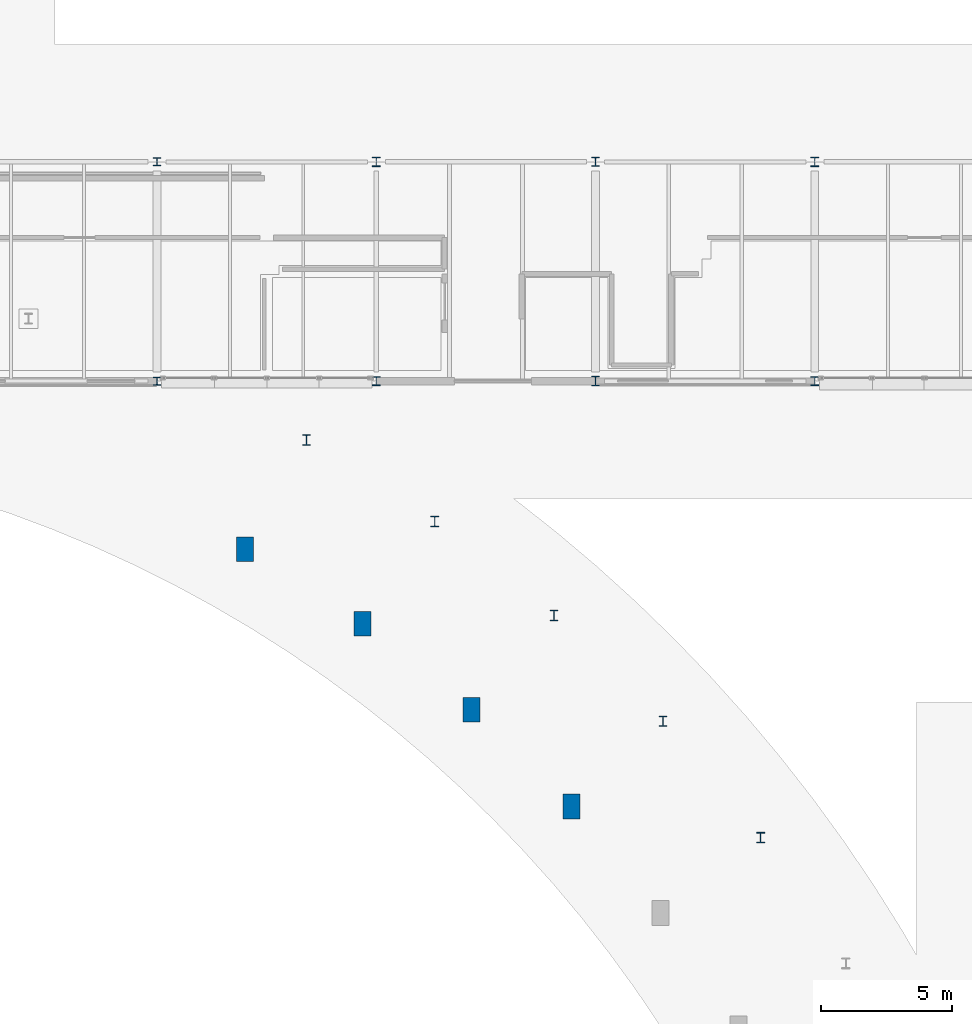
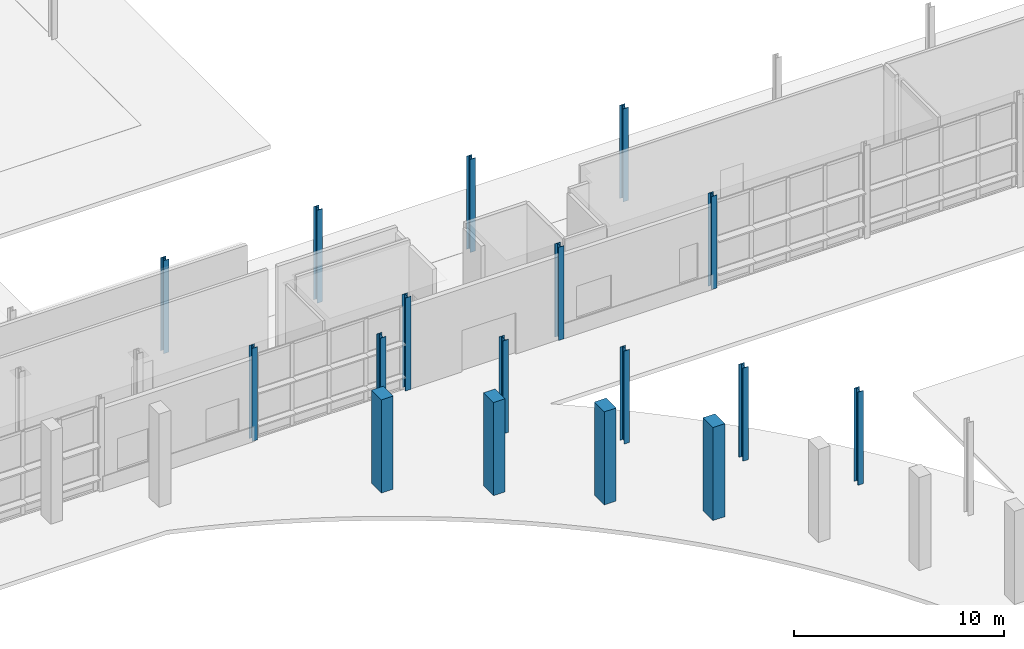
# One storey, part 3 of 124: 17 columns.
"""IFC4 building model written with IfcOpenShell, lengths in metres."""

from ifc_helpers import new_model, si_unit, direction, frame, origin, origin_2d, place, context, subcontext, project, spatial, rectangle, i_section, extrude, material, material_profile, profile_set, type_object, element, save


model = new_model("IFC4")

# Units and contexts
model_context = context("Model", 3, precision=1e-05, world=origin(), true_north=direction((0.0, 1.0)))
body_context = subcontext(model_context, "Body", "Model", "MODEL_VIEW")
ifc_project = project(units=[si_unit("LENGTHUNIT", "METRE"), si_unit("AREAUNIT", "SQUARE_METRE"), si_unit("VOLUMEUNIT", "CUBIC_METRE"), si_unit("PLANEANGLEUNIT", "RADIAN"), si_unit("MASSUNIT", "GRAM", prefix="KILO")], contexts=[model_context])

# Site, building, storey
site_placement = place(None, origin())
site = spatial("IfcSite", under=ifc_project, at=site_placement, CompositionType="ELEMENT")
building_placement = place(site_placement, origin())
building = spatial("IfcBuilding", under=site, at=building_placement, Name="Mersafa Astral City Hall", CompositionType="ELEMENT")
storey_placement = place(building_placement, origin())
storey = spatial("IfcBuildingStorey", under=building, at=storey_placement, Name="L00", CompositionType="ELEMENT", Elevation=0.0)

# Columns
ifc_material_1 = material(Name="Steel S355", Category="steel")
ifc_material_profile_1 = material_profile(ifc_material_1, i_section(OverallWidth=0.300048828125, OverallDepth=0.300048828125, WebThickness=0.010986328125, FlangeThickness=0.01904296875, FilletRadius=0.027099609375, at=origin_2d()), Name="HEB 300")
ifc_profile_set_1 = profile_set([ifc_material_profile_1], Name="Steel S355")
column_type_1 = type_object("IfcColumnType", Name="STR-COL-HEB300", PredefinedType="COLUMN", material=ifc_profile_set_1)
for number, where, z_axis, x_axis, name in (
    (1, (33.60009765625, 50.39990234375, 0.0), (0.0, 0.0, 1.0), (1.0, 0.0, 0.0), "L00 Structural column G-04-06"),
    (2, (33.60009765625, 58.800048828125, 0.0), (0.0, 0.0, 1.0), (1.0, 0.0, 0.0), "L00 Structural column G-04-07"),
):
    element("IfcColumn", number, at=place(storey_placement, frame(where, z_axis=z_axis, x_axis=x_axis)), inside=storey, type_object=column_type_1, Name=name, PredefinedType="COLUMN", context=body_context, shape_type="SweptSolid", body=[
        extrude(i_section(OverallWidth=0.300048828125, OverallDepth=0.300048828125, WebThickness=0.010986328125, FlangeThickness=0.01904296875, FilletRadius=0.027099609375, at=origin_2d()), origin(), (0.0, 0.0, 1.0), 5.39990234375),
    ])
ifc_material_profile_2 = material_profile(ifc_material_1, i_section(OverallWidth=0.300048828125, OverallDepth=0.340087890625, WebThickness=0.011962890625, FlangeThickness=0.021484375, FilletRadius=0.027099609375, at=origin_2d()), Name="HEB 340")
ifc_profile_set_2 = profile_set([ifc_material_profile_2], Name="Steel S355")
column_type_2 = type_object("IfcColumnType", Name="STR-COL-HEB340", PredefinedType="COLUMN", material=ifc_profile_set_2)
for number, where, z_axis, x_axis, name in (
    (3, (42.0, 50.39990234375, 0.0), (0.0, 0.0, 1.0), (1.0, 0.0, 0.0), "L00 Structural column G-05-06"),
    (4, (50.39990234375, 58.800048828125, 0.0), (0.0, 0.0, 1.0), (1.0, 0.0, 0.0), "L00 Structural column G-06-07"),
    (5, (58.800048828125, 50.39990234375, 0.0), (0.0, 0.0, 1.0), (1.0, 0.0, 0.0), "L00 Structural column G-07-06"),
):
    element("IfcColumn", number, at=place(storey_placement, frame(where, z_axis=z_axis, x_axis=x_axis)), inside=storey, type_object=column_type_2, Name=name, PredefinedType="COLUMN", context=body_context, shape_type="SweptSolid", body=[
        extrude(i_section(OverallWidth=0.300048828125, OverallDepth=0.340087890625, WebThickness=0.011962890625, FlangeThickness=0.021484375, FilletRadius=0.027099609375, at=origin_2d()), origin(), (0.0, 0.0, 1.0), 5.39990234375),
    ])
ifc_material_profile_3 = material_profile(ifc_material_1, i_section(OverallWidth=0.300048828125, OverallDepth=0.360107421875, WebThickness=0.012451171875, FlangeThickness=0.0224609375, FilletRadius=0.027099609375, at=origin_2d()), Name="HEB 360")
ifc_profile_set_3 = profile_set([ifc_material_profile_3], Name="Steel S355")
column_type_3 = type_object("IfcColumnType", Name="STR-COL-HEB360", PredefinedType="COLUMN", material=ifc_profile_set_3)
for number, where, z_axis, x_axis, name in (
    (6, (42.0, 58.800048828125, 0.0), (0.0, 0.0, 1.0), (1.0, 0.0, 0.0), "L00 Structural column G-05-07"),
    (7, (50.39990234375, 50.39990234375, 0.0), (0.0, 0.0, 1.0), (1.0, 0.0, 0.0), "L00 Structural column G-06-06"),
    (8, (58.800048828125, 58.800048828125, 0.0), (0.0, 0.0, 1.0), (1.0, 0.0, 0.0), "L00 Structural column G-07-07"),
):
    element("IfcColumn", number, at=place(storey_placement, frame(where, z_axis=z_axis, x_axis=x_axis)), inside=storey, type_object=column_type_3, Name=name, PredefinedType="COLUMN", context=body_context, shape_type="SweptSolid", body=[
        extrude(i_section(OverallWidth=0.300048828125, OverallDepth=0.360107421875, WebThickness=0.012451171875, FlangeThickness=0.0224609375, FilletRadius=0.027099609375, at=origin_2d()), origin(), (0.0, 0.0, 1.0), 5.39990234375),
    ])
ifc_material_profile_4 = material_profile(ifc_material_1, i_section(OverallWidth=0.300048828125, OverallDepth=0.39990234375, WebThickness=0.013427734375, FlangeThickness=0.02392578125, FilletRadius=0.027099609375, at=origin_2d()), Name="HEB 400")
ifc_profile_set_4 = profile_set([ifc_material_profile_4], Name="Steel S355")
column_type_4 = type_object("IfcColumnType", Name="STR-COL-HEB400", PredefinedType="COLUMN", material=ifc_profile_set_4)
for number, where, z_axis, x_axis, name in (
    (9, (39.32666015625, 48.140380859375, 0.0), (0.0, 0.0, 1.0), (1.0, 0.0, 0.0), "L00 Shaded Front Arcade inner column ARCI-05"),
    (10, (44.240234375, 45.0234375, 0.0), (0.0, 0.0, 1.0), (1.0, 0.0, 0.0), "L00 Shaded Front Arcade inner column ARCI-06"),
    (11, (48.809326171875, 41.419921875, 0.0), (0.0, 0.0, 1.0), (1.0, 0.0, 0.0), "L00 Shaded Front Arcade inner column ARCI-07"),
    (12, (52.985595703125, 37.367919921875, 0.0), (0.0, 0.0, 1.0), (1.0, 0.0, 0.0), "L00 Shaded Front Arcade inner column ARCI-08"),
    (13, (56.7255859375, 32.909912109375, 0.0), (0.0, 0.0, 1.0), (1.0, 0.0, 0.0), "L00 Shaded Front Arcade inner column ARCI-09"),
):
    element("IfcColumn", number, at=place(storey_placement, frame(where, z_axis=z_axis, x_axis=x_axis)), inside=storey, type_object=column_type_4, Name=name, PredefinedType="COLUMN", context=body_context, shape_type="SweptSolid", body=[
        extrude(i_section(OverallWidth=0.300048828125, OverallDepth=0.39990234375, WebThickness=0.013427734375, FlangeThickness=0.02392578125, FilletRadius=0.027099609375, at=origin_2d()), origin(), (0.0, 0.0, 1.0), 5.39990234375),
    ])
ifc_material_2 = material(Name="Concrete C40/50", Category="concrete")
ifc_material_profile_5 = material_profile(ifc_material_2, rectangle(XDim=0.64990234375, YDim=0.949951171875, at=origin_2d()), Name="RC 650x950")
ifc_profile_set_5 = profile_set([ifc_material_profile_5], Name="Concrete C40/50")
column_type_5 = type_object("IfcColumnType", Name="STR-PIER-RC650X950", PredefinedType="PILASTER", material=ifc_profile_set_5)
for number, where, z_axis, x_axis, name in (
    (14, (36.96630859375, 43.9609375, 0.0), (0.0, 0.0, 1.0), (1.0, 0.0, 0.0), "L00 Shaded Front Arcade outer pier ARCO-05"),
    (15, (41.46484375, 41.107177734375, 0.0), (0.0, 0.0, 1.0), (1.0, 0.0, 0.0), "L00 Shaded Front Arcade outer pier ARCO-06"),
    (16, (45.647705078125, 37.808349609375, 0.0), (0.0, 0.0, 1.0), (1.0, 0.0, 0.0), "L00 Shaded Front Arcade outer pier ARCO-07"),
    (17, (49.47119140625, 34.0986328125, 0.0), (0.0, 0.0, 1.0), (1.0, 0.0, 0.0), "L00 Shaded Front Arcade outer pier ARCO-08"),
):
    element("IfcColumn", number, at=place(storey_placement, frame(where, z_axis=z_axis, x_axis=x_axis)), inside=storey, type_object=column_type_5, Name=name, PredefinedType="PILASTER", context=body_context, shape_type="SweptSolid", body=[
        extrude(rectangle(XDim=0.64990234375, YDim=0.949951171875, at=origin_2d()), origin(), (0.0, 0.0, 1.0), 5.39990234375),
    ])

save(model, "model.ifc")
